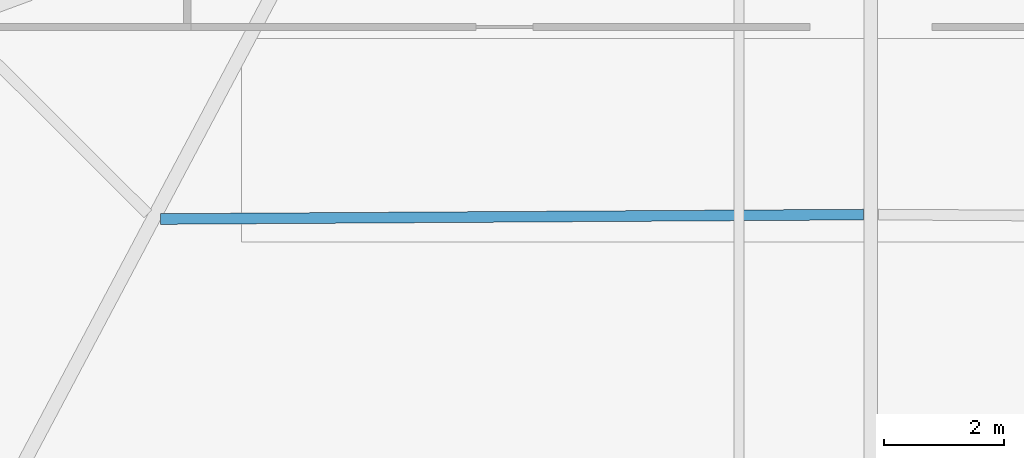
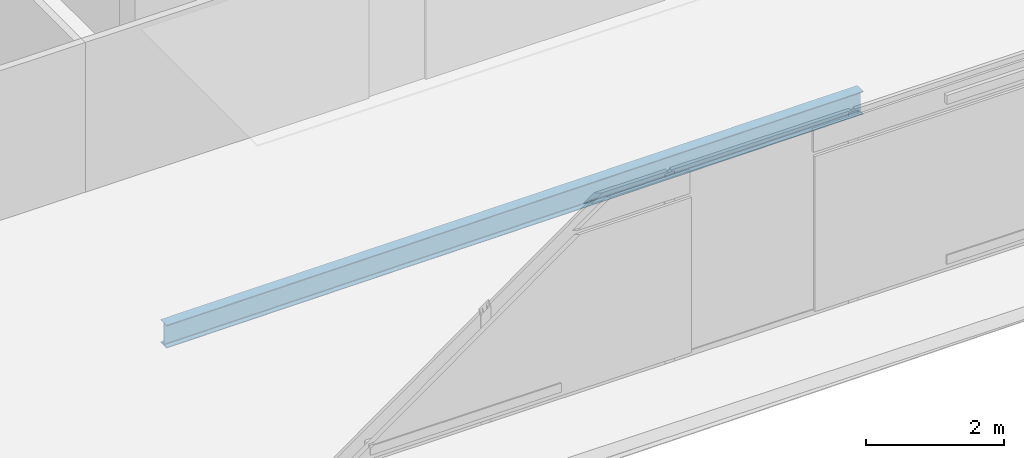
# One storey, part 6 of 39: 1 beam.
"""IFC4 building model written with IfcOpenShell, lengths in metres."""

from ifc_helpers import new_model, si_unit, direction, frame, origin, origin_2d, place, context, subcontext, project, spatial, i_section, extrude, material, material_profile, profile_set, type_object, element, save


model = new_model("IFC4")

# Units and contexts
model_context = context("Model", 3, precision=1e-05, world=origin(), true_north=direction((0.0, 1.0)))
body_context = subcontext(model_context, "Body", "Model", "MODEL_VIEW")
ifc_project = project(units=[si_unit("LENGTHUNIT", "METRE"), si_unit("AREAUNIT", "SQUARE_METRE"), si_unit("VOLUMEUNIT", "CUBIC_METRE"), si_unit("PLANEANGLEUNIT", "RADIAN"), si_unit("MASSUNIT", "GRAM", prefix="KILO")], contexts=[model_context])

# Site, building, storey
site_placement = place(None, origin())
site = spatial("IfcSite", under=ifc_project, at=site_placement, CompositionType="ELEMENT")
building_placement = place(site_placement, origin())
building = spatial("IfcBuilding", under=site, at=building_placement, Name="Caelvoria Tower", CompositionType="ELEMENT")
storey_placement = place(building_placement, frame((0.0, 0.0, 198.60009765625)))
storey = spatial("IfcBuildingStorey", under=building, at=storey_placement, Name="L52", CompositionType="ELEMENT", Elevation=198.60009765625)

# Beam
ifc_material = material(Name="Structural Steel ASTM A992 Gr.50", Category="steel")
ifc_material_profile = material_profile(ifc_material, i_section(OverallWidth=0.177978515625, OverallDepth=0.406982421875, WebThickness=0.0078125, FlangeThickness=0.0126953125, FilletRadius=0.013916015625, at=origin_2d()), Name="Structural Steel ASTM A992 Gr.50")
ifc_profile_set = profile_set([ifc_material_profile], Name="W410X60 - Structural Steel ASTM A992 Gr.50")
beam_type = type_object("IfcBeamType", Name="Secondary Floor Beam W410X60", PredefinedType="BEAM", material=ifc_profile_set)
beam_placement = place(storey_placement, frame((34.14599609375, 18.385009765625, -0.4287109375), z_axis=(0.999979980097, 0.00632766983, 0.0), x_axis=(-0.00632766983, 0.999979980097, 0.0)))
element("IfcBeam", 1, at=beam_placement, inside=storey, type_object=beam_type, Name="Secondary Floor Beam L52-00", PredefinedType="BEAM", context=body_context, shape_type="SweptSolid", body=[
    extrude(i_section(OverallWidth=0.177978515625, OverallDepth=0.406982421875, WebThickness=0.0078125, FlangeThickness=0.0126953125, FilletRadius=0.013916015625, at=origin_2d()), origin(), (0.0, 0.0, 1.0), 11.729248046875),
])

save(model, "model.ifc")
